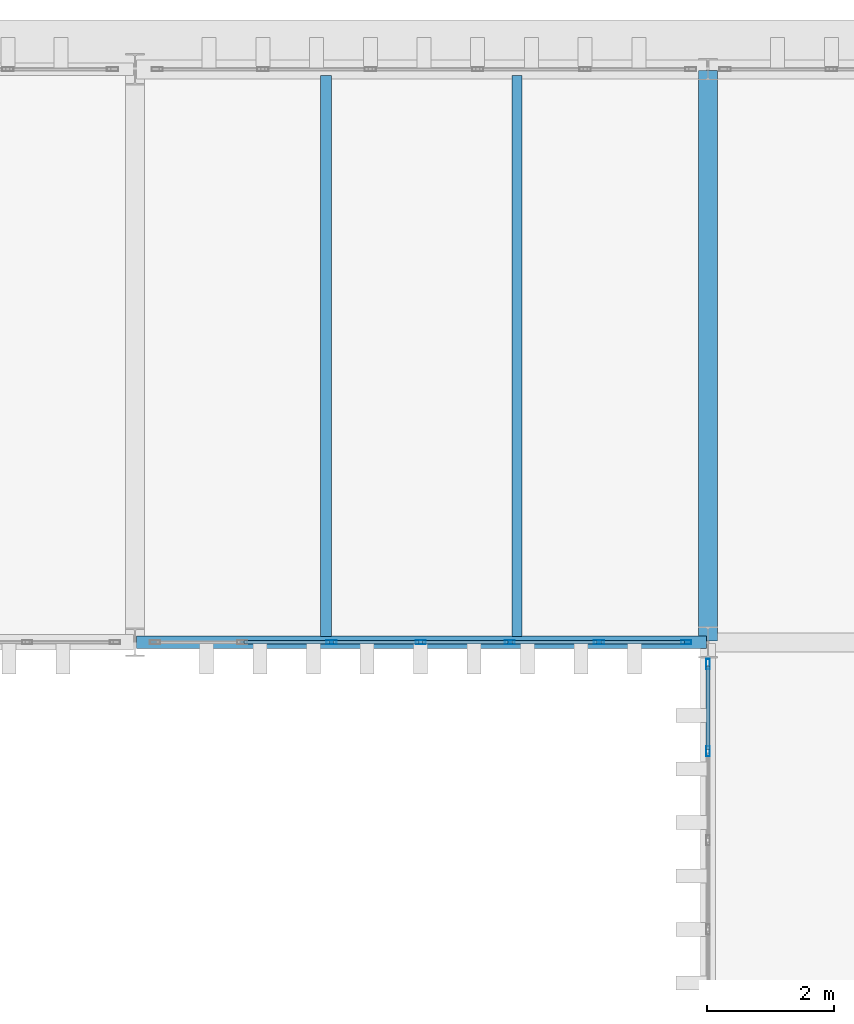
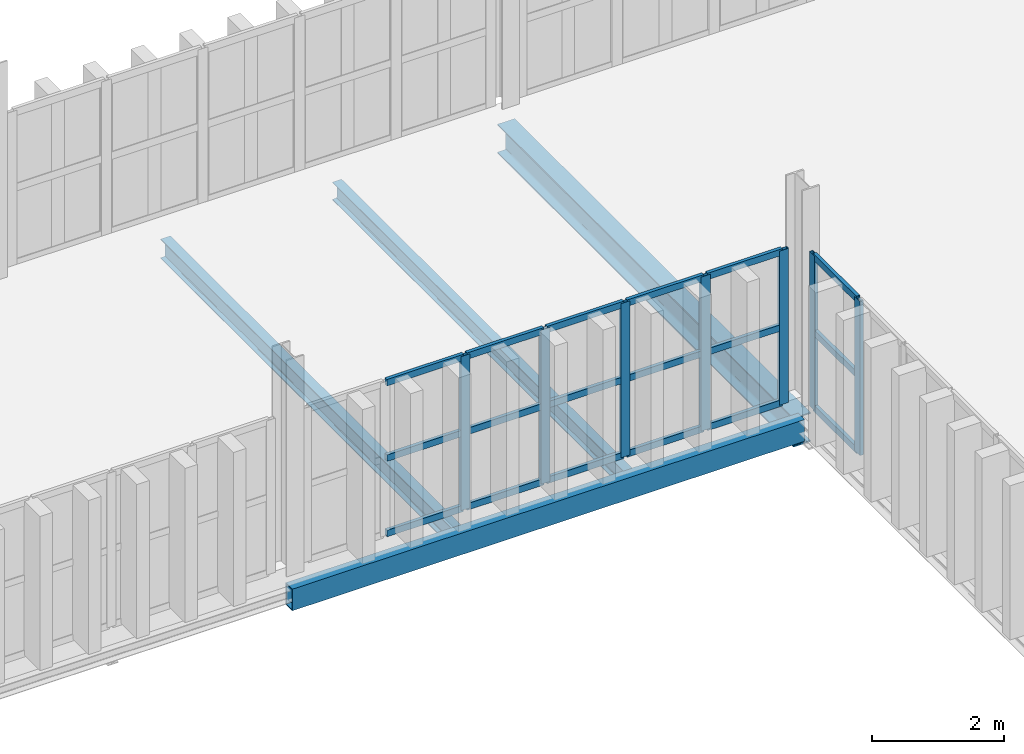
# One storey, part 66 of 102: 25 members, 4 beams, 2 elements without a shape of their own.
"""IFC4 building model written with IfcOpenShell, lengths in metres."""

from ifc_helpers import new_model, si_unit, direction, frame, origin, origin_2d, place, context, subcontext, project, spatial, hollow_rectangle, i_section, extrude, material, layer, layer_set, material_profile, profile_set, type_object, element, aggregate, save


model = new_model("IFC4")

# Units and contexts
model_context = context("Model", 3, precision=1e-05, world=origin(), true_north=direction((0.0, 1.0)))
body_context = subcontext(model_context, "Body", "Model", "MODEL_VIEW")
ifc_project = project(units=[si_unit("LENGTHUNIT", "METRE"), si_unit("AREAUNIT", "SQUARE_METRE"), si_unit("VOLUMEUNIT", "CUBIC_METRE"), si_unit("PLANEANGLEUNIT", "RADIAN"), si_unit("MASSUNIT", "GRAM", prefix="KILO")], contexts=[model_context])

# Site, building, storey
site_placement = place(None, origin())
site = spatial("IfcSite", under=ifc_project, at=site_placement, CompositionType="ELEMENT")
building_placement = place(site_placement, origin())
building = spatial("IfcBuilding", under=site, at=building_placement, Name="Barlavento Convention Centre", CompositionType="ELEMENT")
storey_placement = place(building_placement, frame((0.0, 0.0, 22.800048828125)))
storey = spatial("IfcBuildingStorey", under=building, at=storey_placement, Name="L04", CompositionType="ELEMENT", Elevation=22.800048828125)

# Curtain wall, members
ifc_material_1 = material(Name="Powder-coated aluminium and Low-E glass", Category="aluminium")
ifc_layer = layer(ifc_material_1, 0.179931640625)
ifc_layer_set = layer_set([ifc_layer], Name="ARC-CW-PATIO-B")
curtain_wall_type = type_object("IfcCurtainWallType", Name="ARC-CW-PATIO-B", PredefinedType="NOTDEFINED", material=ifc_layer_set)
curtain_wall_1_placement = place(storey_placement, origin())
curtain_wall_1 = element("IfcCurtainWall", 1, at=curtain_wall_1_placement, inside=storey, type_object=curtain_wall_type, Name="L04 unitised curtain wall CW12", PredefinedType="NOTDEFINED")
ifc_material_2 = material(Name="Powder-coated aluminium", Category="aluminium")
ifc_material_profile_1 = material_profile(ifc_material_2, hollow_rectangle(XDim=0.06005859375, YDim=0.159912109375, WallThickness=0.00390625, at=origin_2d()), Name="AL-MULL 60x160x4")
ifc_profile_set_1 = profile_set([ifc_material_profile_1], Name="Powder-coated aluminium")
member_type_1 = type_object("IfcMemberType", Name="ARC-CWM-60X160", PredefinedType="MULLION", material=ifc_profile_set_1)
member_1_placement = place(storey_placement, frame((165.086669921875, 90.0, 0.0), z_axis=(0.0, 0.0, 1.0), x_axis=(0.0, 1.0, 0.0)))
member_1 = element("IfcMember", 2, at=member_1_placement, type_object=member_type_1, Name="CW12 mullion 3", PredefinedType="MULLION", context=body_context, shape_type="SweptSolid", body=[
    extrude(hollow_rectangle(XDim=0.06005859375, YDim=0.159912109375, WallThickness=0.00390625, at=origin_2d()), origin(), (0.0, 0.0, 1.0), 2.849853515625),
])
member_2_placement = place(storey_placement, frame((166.487548828125, 90.0, 0.0), z_axis=(0.0, 0.0, 1.0), x_axis=(0.0, 1.0, 0.0)))
member_2 = element("IfcMember", 3, at=member_2_placement, type_object=member_type_1, Name="CW12 mullion 4", PredefinedType="MULLION", context=body_context, shape_type="SweptSolid", body=[
    extrude(hollow_rectangle(XDim=0.06005859375, YDim=0.159912109375, WallThickness=0.00390625, at=origin_2d()), origin(), (0.0, 0.0, 1.0), 2.849853515625),
])
member_3_placement = place(storey_placement, frame((167.888427734375, 90.0, 0.0), z_axis=(0.0, 0.0, 1.0), x_axis=(0.0, 1.0, 0.0)))
member_3 = element("IfcMember", 4, at=member_3_placement, type_object=member_type_1, Name="CW12 mullion 5", PredefinedType="MULLION", context=body_context, shape_type="SweptSolid", body=[
    extrude(hollow_rectangle(XDim=0.06005859375, YDim=0.159912109375, WallThickness=0.00390625, at=origin_2d()), origin(), (0.0, 0.0, 1.0), 2.849853515625),
])
member_4_placement = place(storey_placement, frame((169.2890625, 90.0, 0.0), z_axis=(0.0, 0.0, 1.0), x_axis=(0.0, 1.0, 0.0)))
member_4 = element("IfcMember", 5, at=member_4_placement, type_object=member_type_1, Name="CW12 mullion 6", PredefinedType="MULLION", context=body_context, shape_type="SweptSolid", body=[
    extrude(hollow_rectangle(XDim=0.06005859375, YDim=0.159912109375, WallThickness=0.00390625, at=origin_2d()), origin(), (0.0, 0.0, 1.0), 2.849853515625),
])
member_5_placement = place(storey_placement, frame((170.659912109375, 90.0, 0.0), z_axis=(0.0, 0.0, 1.0), x_axis=(0.0, 1.0, 0.0)))
member_5 = element("IfcMember", 6, at=member_5_placement, type_object=member_type_1, Name="CW12 mullion 7", PredefinedType="MULLION", context=body_context, shape_type="SweptSolid", body=[
    extrude(hollow_rectangle(XDim=0.06005859375, YDim=0.159912109375, WallThickness=0.00390625, at=origin_2d()), origin(), (0.0, 0.0, 1.0), 2.849853515625),
])

curtain_wall_2_placement = place(storey_placement, origin())
curtain_wall_2 = element("IfcCurtainWall", 7, at=curtain_wall_2_placement, inside=storey, type_object=curtain_wall_type, Name="L04 unitised curtain wall CW12", PredefinedType="NOTDEFINED")
member_6_placement = place(storey_placement, frame((171.0, 88.2890625, 0.0), z_axis=(0.0, 0.0, 1.0), x_axis=(-1.0, 0.0, 0.0)))
member_6 = element("IfcMember", 8, at=member_6_placement, type_object=member_type_1, Name="CW12 mullion 6", PredefinedType="MULLION", context=body_context, shape_type="SweptSolid", body=[
    extrude(hollow_rectangle(XDim=0.06005859375, YDim=0.159912109375, WallThickness=0.00390625, at=origin_2d()), origin(), (0.0, 0.0, 1.0), 2.849853515625),
])
member_7_placement = place(storey_placement, frame((171.0, 89.659912109375, 0.0), z_axis=(0.0, 0.0, 1.0), x_axis=(-1.0, 0.0, 0.0)))
member_7 = element("IfcMember", 9, at=member_7_placement, type_object=member_type_1, Name="CW12 mullion 7", PredefinedType="MULLION", context=body_context, shape_type="SweptSolid", body=[
    extrude(hollow_rectangle(XDim=0.06005859375, YDim=0.159912109375, WallThickness=0.00390625, at=origin_2d()), origin(), (0.0, 0.0, 1.0), 2.849853515625),
])

# Member
ifc_material_profile_2 = material_profile(ifc_material_2, hollow_rectangle(XDim=0.06005859375, YDim=0.1201171875, WallThickness=0.00390625, at=origin_2d()), Name="AL-TRAN 60x120x4")
ifc_profile_set_2 = profile_set([ifc_material_profile_2], Name="Powder-coated aluminium")
member_type_2 = type_object("IfcMemberType", Name="ARC-CWT-60X120", PredefinedType="USERDEFINED", material=ifc_profile_set_2)
member_8_placement = place(storey_placement, frame((163.7158203125, 90.0, 0.030029296875), z_axis=(1.0, 0.0, 0.0), x_axis=(0.0, 1.0, 0.0)))
member_8 = element("IfcMember", 10, at=member_8_placement, type_object=member_type_2, Name="CW12 transom 2.1", ObjectType="TRANSOM", PredefinedType="USERDEFINED", context=body_context, shape_type="SweptSolid", body=[
    extrude(hollow_rectangle(XDim=0.06005859375, YDim=0.1201171875, WallThickness=0.00390625, at=origin_2d()), origin(), (0.0, 0.0, 1.0), 1.3408203125),
])

member_9_placement = place(storey_placement, frame((163.7158203125, 90.0, 1.425048828125), z_axis=(1.0, 0.0, 0.0), x_axis=(0.0, 1.0, 0.0)))
member_9 = element("IfcMember", 11, at=member_9_placement, type_object=member_type_2, Name="CW12 transom 2.2", ObjectType="TRANSOM", PredefinedType="USERDEFINED", context=body_context, shape_type="SweptSolid", body=[
    extrude(hollow_rectangle(XDim=0.06005859375, YDim=0.1201171875, WallThickness=0.00390625, at=origin_2d()), origin(), (0.0, 0.0, 1.0), 1.3408203125),
])

member_10_placement = place(storey_placement, frame((163.7158203125, 90.0, 2.820068359375), z_axis=(1.0, 0.0, 0.0), x_axis=(0.0, 1.0, 0.0)))
member_10 = element("IfcMember", 12, at=member_10_placement, type_object=member_type_2, Name="CW12 transom 2.3", ObjectType="TRANSOM", PredefinedType="USERDEFINED", context=body_context, shape_type="SweptSolid", body=[
    extrude(hollow_rectangle(XDim=0.06005859375, YDim=0.1201171875, WallThickness=0.00390625, at=origin_2d()), origin(), (0.0, 0.0, 1.0), 1.3408203125),
])

member_11_placement = place(storey_placement, frame((165.11669921875, 90.0, 0.030029296875), z_axis=(1.0, 0.0, 0.0), x_axis=(0.0, 1.0, 0.0)))
member_11 = element("IfcMember", 13, at=member_11_placement, type_object=member_type_2, Name="CW12 transom 3.1", ObjectType="TRANSOM", PredefinedType="USERDEFINED", context=body_context, shape_type="SweptSolid", body=[
    extrude(hollow_rectangle(XDim=0.06005859375, YDim=0.1201171875, WallThickness=0.00390625, at=origin_2d()), origin(), (0.0, 0.0, 1.0), 1.3408203125),
])

member_12_placement = place(storey_placement, frame((165.11669921875, 90.0, 1.425048828125), z_axis=(1.0, 0.0, 0.0), x_axis=(0.0, 1.0, 0.0)))
member_12 = element("IfcMember", 14, at=member_12_placement, type_object=member_type_2, Name="CW12 transom 3.2", ObjectType="TRANSOM", PredefinedType="USERDEFINED", context=body_context, shape_type="SweptSolid", body=[
    extrude(hollow_rectangle(XDim=0.06005859375, YDim=0.1201171875, WallThickness=0.00390625, at=origin_2d()), origin(), (0.0, 0.0, 1.0), 1.3408203125),
])

member_13_placement = place(storey_placement, frame((165.11669921875, 90.0, 2.820068359375), z_axis=(1.0, 0.0, 0.0), x_axis=(0.0, 1.0, 0.0)))
member_13 = element("IfcMember", 15, at=member_13_placement, type_object=member_type_2, Name="CW12 transom 3.3", ObjectType="TRANSOM", PredefinedType="USERDEFINED", context=body_context, shape_type="SweptSolid", body=[
    extrude(hollow_rectangle(XDim=0.06005859375, YDim=0.1201171875, WallThickness=0.00390625, at=origin_2d()), origin(), (0.0, 0.0, 1.0), 1.3408203125),
])

member_14_placement = place(storey_placement, frame((166.517578125, 90.0, 0.030029296875), z_axis=(1.0, 0.0, 0.0), x_axis=(0.0, 1.0, 0.0)))
member_14 = element("IfcMember", 16, at=member_14_placement, type_object=member_type_2, Name="CW12 transom 4.1", ObjectType="TRANSOM", PredefinedType="USERDEFINED", context=body_context, shape_type="SweptSolid", body=[
    extrude(hollow_rectangle(XDim=0.06005859375, YDim=0.1201171875, WallThickness=0.00390625, at=origin_2d()), origin(), (0.0, 0.0, 1.0), 1.3408203125),
])

member_15_placement = place(storey_placement, frame((166.517578125, 90.0, 1.425048828125), z_axis=(1.0, 0.0, 0.0), x_axis=(0.0, 1.0, 0.0)))
member_15 = element("IfcMember", 17, at=member_15_placement, type_object=member_type_2, Name="CW12 transom 4.2", ObjectType="TRANSOM", PredefinedType="USERDEFINED", context=body_context, shape_type="SweptSolid", body=[
    extrude(hollow_rectangle(XDim=0.06005859375, YDim=0.1201171875, WallThickness=0.00390625, at=origin_2d()), origin(), (0.0, 0.0, 1.0), 1.3408203125),
])

member_16_placement = place(storey_placement, frame((166.517578125, 90.0, 2.820068359375), z_axis=(1.0, 0.0, 0.0), x_axis=(0.0, 1.0, 0.0)))
member_16 = element("IfcMember", 18, at=member_16_placement, type_object=member_type_2, Name="CW12 transom 4.3", ObjectType="TRANSOM", PredefinedType="USERDEFINED", context=body_context, shape_type="SweptSolid", body=[
    extrude(hollow_rectangle(XDim=0.06005859375, YDim=0.1201171875, WallThickness=0.00390625, at=origin_2d()), origin(), (0.0, 0.0, 1.0), 1.3408203125),
])

member_17_placement = place(storey_placement, frame((167.918212890625, 90.0, 0.030029296875), z_axis=(1.0, 0.0, 0.0), x_axis=(0.0, 1.0, 0.0)))
member_17 = element("IfcMember", 19, at=member_17_placement, type_object=member_type_2, Name="CW12 transom 5.1", ObjectType="TRANSOM", PredefinedType="USERDEFINED", context=body_context, shape_type="SweptSolid", body=[
    extrude(hollow_rectangle(XDim=0.06005859375, YDim=0.1201171875, WallThickness=0.00390625, at=origin_2d()), origin(), (0.0, 0.0, 1.0), 1.341064453125),
])

member_18_placement = place(storey_placement, frame((167.918212890625, 90.0, 1.425048828125), z_axis=(1.0, 0.0, 0.0), x_axis=(0.0, 1.0, 0.0)))
member_18 = element("IfcMember", 20, at=member_18_placement, type_object=member_type_2, Name="CW12 transom 5.2", ObjectType="TRANSOM", PredefinedType="USERDEFINED", context=body_context, shape_type="SweptSolid", body=[
    extrude(hollow_rectangle(XDim=0.06005859375, YDim=0.1201171875, WallThickness=0.00390625, at=origin_2d()), origin(), (0.0, 0.0, 1.0), 1.341064453125),
])

member_19_placement = place(storey_placement, frame((167.918212890625, 90.0, 2.820068359375), z_axis=(1.0, 0.0, 0.0), x_axis=(0.0, 1.0, 0.0)))
member_19 = element("IfcMember", 21, at=member_19_placement, type_object=member_type_2, Name="CW12 transom 5.3", ObjectType="TRANSOM", PredefinedType="USERDEFINED", context=body_context, shape_type="SweptSolid", body=[
    extrude(hollow_rectangle(XDim=0.06005859375, YDim=0.1201171875, WallThickness=0.00390625, at=origin_2d()), origin(), (0.0, 0.0, 1.0), 1.341064453125),
])

member_20_placement = place(storey_placement, frame((169.319091796875, 90.0, 0.030029296875), z_axis=(1.0, 0.0, 0.0), x_axis=(0.0, 1.0, 0.0)))
member_20 = element("IfcMember", 22, at=member_20_placement, type_object=member_type_2, Name="CW12 transom 6.1", ObjectType="TRANSOM", PredefinedType="USERDEFINED", context=body_context, shape_type="SweptSolid", body=[
    extrude(hollow_rectangle(XDim=0.06005859375, YDim=0.1201171875, WallThickness=0.00390625, at=origin_2d()), origin(), (0.0, 0.0, 1.0), 1.310791015625),
])

member_21_placement = place(storey_placement, frame((169.319091796875, 90.0, 1.425048828125), z_axis=(1.0, 0.0, 0.0), x_axis=(0.0, 1.0, 0.0)))
member_21 = element("IfcMember", 23, at=member_21_placement, type_object=member_type_2, Name="CW12 transom 6.2", ObjectType="TRANSOM", PredefinedType="USERDEFINED", context=body_context, shape_type="SweptSolid", body=[
    extrude(hollow_rectangle(XDim=0.06005859375, YDim=0.1201171875, WallThickness=0.00390625, at=origin_2d()), origin(), (0.0, 0.0, 1.0), 1.310791015625),
])

member_22_placement = place(storey_placement, frame((169.319091796875, 90.0, 2.820068359375), z_axis=(1.0, 0.0, 0.0), x_axis=(0.0, 1.0, 0.0)))
member_22 = element("IfcMember", 24, at=member_22_placement, type_object=member_type_2, Name="CW12 transom 6.3", ObjectType="TRANSOM", PredefinedType="USERDEFINED", context=body_context, shape_type="SweptSolid", body=[
    extrude(hollow_rectangle(XDim=0.06005859375, YDim=0.1201171875, WallThickness=0.00390625, at=origin_2d()), origin(), (0.0, 0.0, 1.0), 1.310791015625),
])

aggregate(curtain_wall_1, [member_1, member_2, member_3, member_4, member_5, member_8, member_9, member_10, member_11, member_12, member_13, member_14, member_15, member_16, member_17, member_18, member_19, member_20, member_21, member_22])

member_23_placement = place(storey_placement, frame((171.0, 88.319091796875, 0.030029296875), z_axis=(0.0, 1.0, 0.0), x_axis=(-1.0, 0.0, 0.0)))
member_23 = element("IfcMember", 25, at=member_23_placement, type_object=member_type_2, Name="CW12 transom 6.1", ObjectType="TRANSOM", PredefinedType="USERDEFINED", context=body_context, shape_type="SweptSolid", body=[
    extrude(hollow_rectangle(XDim=0.06005859375, YDim=0.1201171875, WallThickness=0.00390625, at=origin_2d()), origin(), (0.0, 0.0, 1.0), 1.310791015625),
])

member_24_placement = place(storey_placement, frame((171.0, 88.319091796875, 1.425048828125), z_axis=(0.0, 1.0, 0.0), x_axis=(-1.0, 0.0, 0.0)))
member_24 = element("IfcMember", 26, at=member_24_placement, type_object=member_type_2, Name="CW12 transom 6.2", ObjectType="TRANSOM", PredefinedType="USERDEFINED", context=body_context, shape_type="SweptSolid", body=[
    extrude(hollow_rectangle(XDim=0.06005859375, YDim=0.1201171875, WallThickness=0.00390625, at=origin_2d()), origin(), (0.0, 0.0, 1.0), 1.310791015625),
])

member_25_placement = place(storey_placement, frame((171.0, 88.319091796875, 2.820068359375), z_axis=(0.0, 1.0, 0.0), x_axis=(-1.0, 0.0, 0.0)))
member_25 = element("IfcMember", 27, at=member_25_placement, type_object=member_type_2, Name="CW12 transom 6.3", ObjectType="TRANSOM", PredefinedType="USERDEFINED", context=body_context, shape_type="SweptSolid", body=[
    extrude(hollow_rectangle(XDim=0.06005859375, YDim=0.1201171875, WallThickness=0.00390625, at=origin_2d()), origin(), (0.0, 0.0, 1.0), 1.310791015625),
])

aggregate(curtain_wall_2, [member_6, member_7, member_23, member_24, member_25])

# Beams
ifc_material_3 = material(Name="Steel S355", Category="steel")
ifc_material_profile_3 = material_profile(ifc_material_3, i_section(OverallWidth=0.159912109375, OverallDepth=0.330078125, WebThickness=0.007568359375, FlangeThickness=0.011474609375, FilletRadius=0.01806640625, at=origin_2d()), Name="IPE 330")
ifc_profile_set_3 = profile_set([ifc_material_profile_3], Name="Steel S355")
beam_type_1 = type_object("IfcBeamType", Name="STR-BM-JST-IPE330", PredefinedType="JOIST", material=ifc_profile_set_3)
beam_1_placement = place(storey_placement, frame((168.0, 90.094970703125, -0.525146484375), z_axis=(0.0, 1.0, 0.0), x_axis=(-1.0, 0.0, 0.0)))
element("IfcBeam", 28, at=beam_1_placement, inside=storey, type_object=beam_type_1, Name="L04 composite floor joist SJ06", PredefinedType="JOIST", context=body_context, shape_type="SweptSolid", body=[
    extrude(i_section(OverallWidth=0.159912109375, OverallDepth=0.330078125, WebThickness=0.007568359375, FlangeThickness=0.011474609375, FilletRadius=0.01806640625, at=origin_2d()), origin(), (0.0, 0.0, 1.0), 8.81005859375),
])
ifc_material_profile_4 = material_profile(ifc_material_3, i_section(OverallWidth=0.169921875, OverallDepth=0.360107421875, WebThickness=0.008056640625, FlangeThickness=0.0126953125, FilletRadius=0.01806640625, at=origin_2d()), Name="IPE 360")
ifc_profile_set_4 = profile_set([ifc_material_profile_4], Name="Steel S355")
beam_type_2 = type_object("IfcBeamType", Name="STR-BM-JST-IPE360", PredefinedType="JOIST", material=ifc_profile_set_4)
beam_2_placement = place(storey_placement, frame((165.0, 90.094970703125, -0.5400390625), z_axis=(0.0, 1.0, 0.0), x_axis=(-1.0, 0.0, 0.0)))
element("IfcBeam", 29, at=beam_2_placement, inside=storey, type_object=beam_type_2, Name="L04 composite floor joist SJ05", PredefinedType="JOIST", context=body_context, shape_type="SweptSolid", body=[
    extrude(i_section(OverallWidth=0.169921875, OverallDepth=0.360107421875, WebThickness=0.008056640625, FlangeThickness=0.0126953125, FilletRadius=0.01806640625, at=origin_2d()), origin(), (0.0, 0.0, 1.0), 8.81005859375),
])
ifc_material_profile_5 = material_profile(ifc_material_3, i_section(OverallWidth=0.300048828125, OverallDepth=0.5400390625, WebThickness=0.012451171875, FlangeThickness=0.02392578125, FilletRadius=0.027099609375, at=origin_2d()), Name="HEA 550")
ifc_profile_set_5 = profile_set([ifc_material_profile_5], Name="Steel S355")
beam_type_3 = type_object("IfcBeamType", Name="STR-BM-PRI-HEA550", PredefinedType="BEAM", material=ifc_profile_set_5)
beam_3_placement = place(storey_placement, frame((171.0, 90.02001953125, -0.630126953125), z_axis=(0.0, 1.0, 0.0), x_axis=(-1.0, 0.0, 0.0)))
element("IfcBeam", 30, at=beam_3_placement, inside=storey, type_object=beam_type_3, Name="L04 grid girder BG19", PredefinedType="BEAM", context=body_context, shape_type="SweptSolid", body=[
    extrude(i_section(OverallWidth=0.300048828125, OverallDepth=0.5400390625, WebThickness=0.012451171875, FlangeThickness=0.02392578125, FilletRadius=0.027099609375, at=origin_2d()), origin(), (0.0, 0.0, 1.0), 8.9599609375),
])
ifc_material_profile_6 = material_profile(ifc_material_3, hollow_rectangle(XDim=0.199951171875, YDim=0.39990234375, WallThickness=0.01611328125, at=origin_2d()), Name="RHS 400x200x16.0")
ifc_profile_set_6 = profile_set([ifc_material_profile_6], Name="Steel S355")
beam_type_4 = type_object("IfcBeamType", Name="STR-BM-SPN-RHS400", PredefinedType="SPANDREL", material=ifc_profile_set_6)
beam_4_placement = place(storey_placement, frame((162.02001953125, 90.0, -0.56005859375), z_axis=(1.0, 0.0, 0.0), x_axis=(0.0, 1.0, 0.0)))
element("IfcBeam", 31, at=beam_4_placement, inside=storey, type_object=beam_type_4, Name="L04 primary girder SP06", PredefinedType="SPANDREL", context=body_context, shape_type="SweptSolid", body=[
    extrude(hollow_rectangle(XDim=0.199951171875, YDim=0.39990234375, WallThickness=0.01611328125, at=origin_2d()), origin(), (0.0, 0.0, 1.0), 8.9599609375),
])

save(model, "model.ifc")
